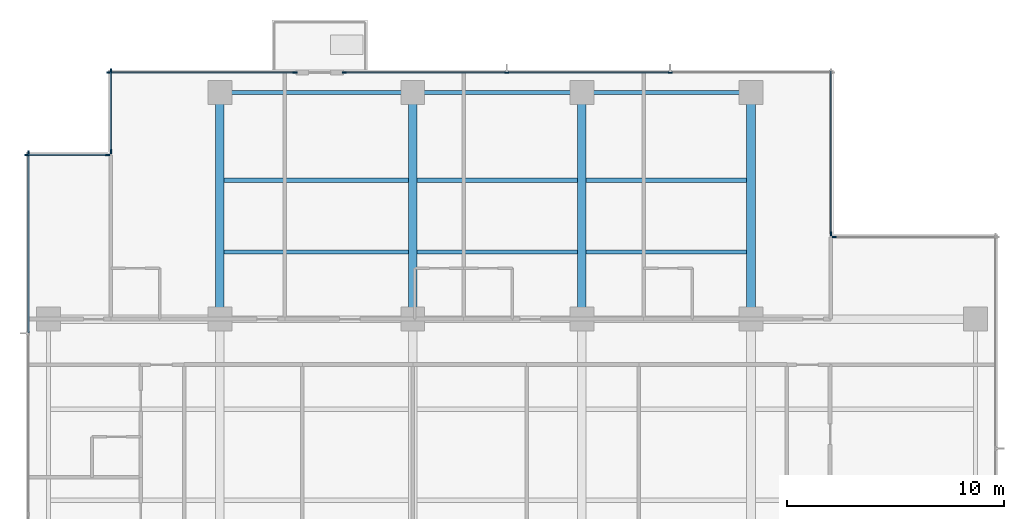
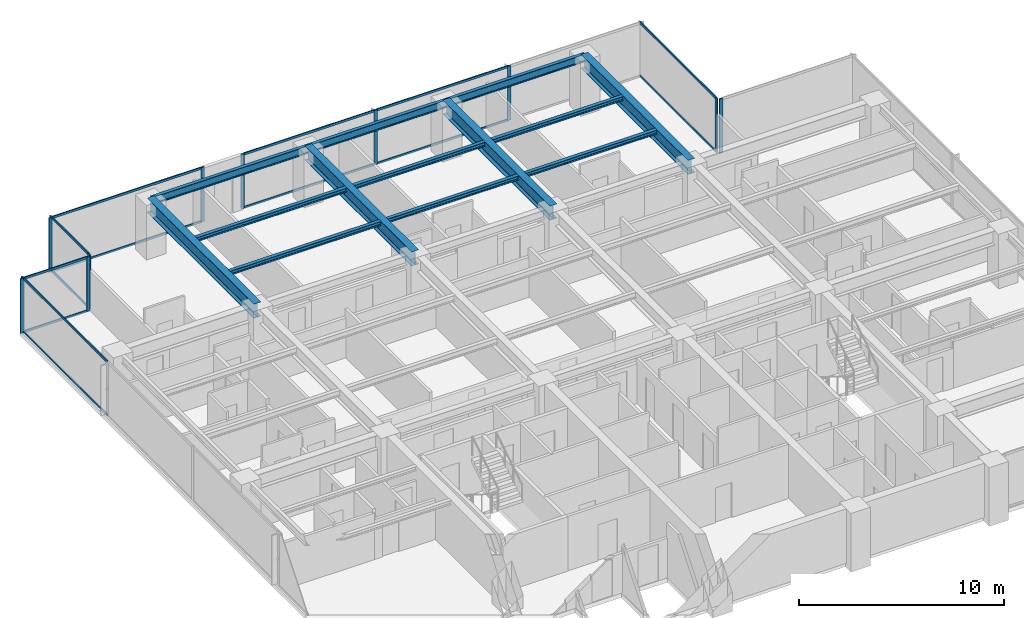
# One storey, part 4 of 15: 26 members, 13 beams, 7 elements without a shape of their own.
"""IFC4 building model written with IfcOpenShell, lengths in metres."""

from ifc_helpers import new_model, si_unit, direction, frame, origin, origin_2d, place, context, subcontext, project, spatial, rectangle, i_section, extrude, material, layer, layer_set, material_profile, profile_set, type_object, element, aggregate, save


model = new_model("IFC4")

# Units and contexts
model_context = context("Model", 3, precision=1e-05, world=origin(), true_north=direction((0.0, 1.0)))
body_context = subcontext(model_context, "Body", "Model", "MODEL_VIEW")
ifc_project = project(units=[si_unit("LENGTHUNIT", "METRE"), si_unit("AREAUNIT", "SQUARE_METRE"), si_unit("VOLUMEUNIT", "CUBIC_METRE"), si_unit("PLANEANGLEUNIT", "RADIAN"), si_unit("MASSUNIT", "GRAM", prefix="KILO")], contexts=[model_context])

# Site, building, storey
site_placement = place(None, origin())
site = spatial("IfcSite", under=ifc_project, at=site_placement, CompositionType="ELEMENT")
building_placement = place(site_placement, origin())
building = spatial("IfcBuilding", under=site, at=building_placement, Name="Qalmaran Belvedere Hotel", CompositionType="ELEMENT")
storey_placement = place(building_placement, frame((0.0, 0.0, 142.10009765625)))
storey = spatial("IfcBuildingStorey", under=building, at=storey_placement, Name="L35", CompositionType="ELEMENT", Elevation=142.10009765625)

# Beams
ifc_material_1 = material(Name="Steel S355JR", Category="steel")
ifc_material_profile_1 = material_profile(ifc_material_1, i_section(OverallWidth=0.201904296875, OverallDepth=0.2470703125, WebThickness=0.00732421875, FlangeThickness=0.010986328125, FilletRadius=0.011962890625, at=origin_2d()), Name="W250X49")
ifc_profile_set_1 = profile_set([ifc_material_profile_1], Name="Steel S355JR")
beam_type_1 = type_object("IfcBeamType", Name="BM-JST-W250X49", PredefinedType="JOIST", material=ifc_profile_set_1)
beam_1_placement = place(storey_placement, frame((20.498046875, 36.10009765625, 3.12646484375), z_axis=(1.0, 0.0, 0.0), x_axis=(0.0, 1.0, 0.0)))
element("IfcBeam", 1, at=beam_1_placement, inside=storey, type_object=beam_type_1, Name="L35 North Floor Joist 042", PredefinedType="JOIST", context=body_context, shape_type="SweptSolid", body=[
    extrude(i_section(OverallWidth=0.201904296875, OverallDepth=0.2470703125, WebThickness=0.00732421875, FlangeThickness=0.010986328125, FilletRadius=0.011962890625, at=origin_2d()), origin(), (0.0, 0.0, 1.0), 8.50390625),
])
for number, where, z_axis, x_axis, name in (
    (2, (29.39794921875, 36.10009765625, 3.12646484375), (1.0, 0.0, 0.0), (0.0, 1.0, 0.0), "L35 North Floor Joist 043"),
    (3, (37.197998046875, 36.10009765625, 3.12646484375), (1.0, 0.0, 0.0), (0.0, 1.0, 0.0), "L35 North Floor Joist 044"),
):
    element("IfcBeam", number, at=place(storey_placement, frame(where, z_axis=z_axis, x_axis=x_axis)), inside=storey, type_object=beam_type_1, Name=name, PredefinedType="JOIST", context=body_context, shape_type="SweptSolid", body=[
        extrude(i_section(OverallWidth=0.201904296875, OverallDepth=0.2470703125, WebThickness=0.00732421875, FlangeThickness=0.010986328125, FilletRadius=0.011962890625, at=origin_2d()), origin(), (0.0, 0.0, 1.0), 7.404052734375),
    ])
beam_2_placement = place(storey_placement, frame((20.498046875, 39.39990234375, 3.12646484375), z_axis=(1.0, 0.0, 0.0), x_axis=(0.0, 1.0, 0.0)))
element("IfcBeam", 4, at=beam_2_placement, inside=storey, type_object=beam_type_1, Name="L35 North Floor Joist 045", PredefinedType="JOIST", context=body_context, shape_type="SweptSolid", body=[
    extrude(i_section(OverallWidth=0.201904296875, OverallDepth=0.2470703125, WebThickness=0.00732421875, FlangeThickness=0.010986328125, FilletRadius=0.011962890625, at=origin_2d()), origin(), (0.0, 0.0, 1.0), 8.50390625),
])
for number, where, z_axis, x_axis, name in (
    (5, (29.39794921875, 39.39990234375, 3.12646484375), (1.0, 0.0, 0.0), (0.0, 1.0, 0.0), "L35 North Floor Joist 046"),
    (6, (37.197998046875, 39.39990234375, 3.12646484375), (1.0, 0.0, 0.0), (0.0, 1.0, 0.0), "L35 North Floor Joist 047"),
):
    element("IfcBeam", number, at=place(storey_placement, frame(where, z_axis=z_axis, x_axis=x_axis)), inside=storey, type_object=beam_type_1, Name=name, PredefinedType="JOIST", context=body_context, shape_type="SweptSolid", body=[
        extrude(i_section(OverallWidth=0.201904296875, OverallDepth=0.2470703125, WebThickness=0.00732421875, FlangeThickness=0.010986328125, FilletRadius=0.011962890625, at=origin_2d()), origin(), (0.0, 0.0, 1.0), 7.404052734375),
    ])
ifc_material_profile_2 = material_profile(ifc_material_1, i_section(OverallWidth=0.39990234375, OverallDepth=0.85498046875, WebThickness=0.018310546875, FlangeThickness=0.029296875, FilletRadius=0.02392578125, at=origin_2d()), Name="W840X299")
ifc_profile_set_2 = profile_set([ifc_material_profile_2], Name="Steel S355JR")
beam_type_2 = type_object("IfcBeamType", Name="BM-PG3-W840X299", PredefinedType="USERDEFINED", material=ifc_profile_set_2)
for number, where, z_axis, x_axis, name in (
    (7, (20.300048828125, 33.0, 2.822509765625), (0.0, 1.0, 0.0), (-1.0, 0.0, 0.0), "L35 North Bay Girder 15"),
    (8, (29.199951171875, 33.0, 2.822509765625), (0.0, 1.0, 0.0), (-1.0, 0.0, 0.0), "L35 North Bay Girder 17"),
    (9, (37.0, 33.0, 2.822509765625), (0.0, 1.0, 0.0), (-1.0, 0.0, 0.0), "L35 North Bay Girder 19"),
    (10, (44.800048828125, 33.0, 2.822509765625), (0.0, 1.0, 0.0), (-1.0, 0.0, 0.0), "L35 North Bay Girder 21"),
):
    element("IfcBeam", number, at=place(storey_placement, frame(where, z_axis=z_axis, x_axis=x_axis)), inside=storey, type_object=beam_type_2, Name=name, ObjectType="GIRDER", PredefinedType="USERDEFINED", context=body_context, shape_type="SweptSolid", body=[
        extrude(i_section(OverallWidth=0.39990234375, OverallDepth=0.85498046875, WebThickness=0.018310546875, FlangeThickness=0.029296875, FilletRadius=0.02392578125, at=origin_2d()), origin(), (0.0, 0.0, 1.0), 10.449951171875),
    ])
ifc_material_profile_3 = material_profile(ifc_material_1, i_section(OverallWidth=0.19189453125, OverallDepth=0.462890625, WebThickness=0.010498046875, FlangeThickness=0.017578125, FilletRadius=0.01611328125, at=origin_2d()), Name="W460X89")
ifc_profile_set_3 = profile_set([ifc_material_profile_3], Name="Steel S355JR")
beam_type_3 = type_object("IfcBeamType", Name="BM-SP2-W460X89", PredefinedType="SPANDREL", material=ifc_profile_set_3)
beam_3_placement = place(storey_placement, frame((20.300048828125, 43.449951171875, 3.018310546875), z_axis=(1.0, 0.0, 0.0), x_axis=(0.0, 1.0, 0.0)))
element("IfcBeam", 11, at=beam_3_placement, inside=storey, type_object=beam_type_3, Name="L35 Perimeter Spandrel 05", PredefinedType="SPANDREL", context=body_context, shape_type="SweptSolid", body=[
    extrude(i_section(OverallWidth=0.19189453125, OverallDepth=0.462890625, WebThickness=0.010498046875, FlangeThickness=0.017578125, FilletRadius=0.01611328125, at=origin_2d()), origin(), (0.0, 0.0, 1.0), 8.89990234375),
])
for number, where, z_axis, x_axis, name in (
    (12, (29.199951171875, 43.449951171875, 3.018310546875), (1.0, 0.0, 0.0), (0.0, 1.0, 0.0), "L35 Perimeter Spandrel 06"),
    (13, (37.0, 43.449951171875, 3.018310546875), (1.0, 0.0, 0.0), (0.0, 1.0, 0.0), "L35 Perimeter Spandrel 07"),
):
    element("IfcBeam", number, at=place(storey_placement, frame(where, z_axis=z_axis, x_axis=x_axis)), inside=storey, type_object=beam_type_3, Name=name, PredefinedType="SPANDREL", context=body_context, shape_type="SweptSolid", body=[
        extrude(i_section(OverallWidth=0.19189453125, OverallDepth=0.462890625, WebThickness=0.010498046875, FlangeThickness=0.017578125, FilletRadius=0.01611328125, at=origin_2d()), origin(), (0.0, 0.0, 1.0), 7.800048828125),
    ])

# Curtain wall, member
ifc_material_2 = material(Name="Anodised Bronze Aluminium", Category="aluminium")
ifc_layer = layer(ifc_material_2, 0.195068359375, Name="Anodised Bronze Aluminium")
ifc_layer_set = layer_set([ifc_layer], Name="Anodised Bronze Aluminium")
curtain_wall_type = type_object("IfcCurtainWallType", Name="CW4-TOWER-HIGHMID", PredefinedType="NOTDEFINED", material=ifc_layer_set)
curtain_wall_1_placement = place(storey_placement, origin())
curtain_wall_1 = element("IfcCurtainWall", 14, at=curtain_wall_1_placement, inside=storey, type_object=curtain_wall_type, Name="L35 Curtain Wall CW4", PredefinedType="NOTDEFINED")
ifc_material_profile_4 = material_profile(ifc_material_2, rectangle(XDim=0.070068359375, YDim=0.18994140625, at=origin_2d()), Name="CWM70X190")
ifc_profile_set_4 = profile_set([ifc_material_profile_4], Name="Anodised Bronze Aluminium")
member_type_1 = type_object("IfcMemberType", Name="CWM-70X190", PredefinedType="MULLION", material=ifc_profile_set_4)
member_1_placement = place(storey_placement, frame((48.635009765625, 36.780029296875, 0.0), z_axis=(0.0, 0.0, 1.0), x_axis=(0.0, -1.0, 0.0)))
member_1 = element("IfcMember", 15, at=member_1_placement, type_object=member_type_1, Name="CW4 mullion 2", PredefinedType="MULLION", context=body_context, shape_type="SweptSolid", body=[
    extrude(rectangle(XDim=0.070068359375, YDim=0.18994140625, at=origin_2d()), origin(), (0.0, 0.0, 1.0), 3.25),
])
aggregate(curtain_wall_1, [member_1])

curtain_wall_2_placement = place(storey_placement, origin())
curtain_wall_2 = element("IfcCurtainWall", 16, at=curtain_wall_2_placement, inside=storey, type_object=curtain_wall_type, Name="L35 Curtain Wall CW4", PredefinedType="NOTDEFINED")
member_2_placement = place(storey_placement, frame((48.47998046875, 36.93505859375, 0.0), z_axis=(0.0, 0.0, 1.0), x_axis=(-1.0, 0.0, 0.0)))
member_2 = element("IfcMember", 17, at=member_2_placement, type_object=member_type_1, Name="CW4 mullion 1", PredefinedType="MULLION", context=body_context, shape_type="SweptSolid", body=[
    extrude(rectangle(XDim=0.070068359375, YDim=0.18994140625, at=origin_2d()), origin(), (0.0, 0.0, 1.0), 3.25),
])

# Curtain wall, members
curtain_wall_3_placement = place(storey_placement, origin())
curtain_wall_3 = element("IfcCurtainWall", 18, at=curtain_wall_3_placement, inside=storey, type_object=curtain_wall_type, Name="L35 Curtain Wall CW4", PredefinedType="NOTDEFINED")
member_3_placement = place(storey_placement, frame((23.764892578125, 44.3798828125, 0.0), z_axis=(0.0, 0.0, 1.0), x_axis=(0.0, -1.0, 0.0)))
member_3 = element("IfcMember", 19, at=member_3_placement, type_object=member_type_1, Name="CW4 mullion 1", PredefinedType="MULLION", context=body_context, shape_type="SweptSolid", body=[
    extrude(rectangle(XDim=0.070068359375, YDim=0.18994140625, at=origin_2d()), origin(), (0.0, 0.0, 1.0), 3.25),
])
member_4_placement = place(storey_placement, frame((15.18505859375, 44.3798828125, 0.0), z_axis=(0.0, 0.0, 1.0), x_axis=(0.0, -1.0, 0.0)))
member_4 = element("IfcMember", 20, at=member_4_placement, type_object=member_type_1, Name="CW4 mullion 2", PredefinedType="MULLION", context=body_context, shape_type="SweptSolid", body=[
    extrude(rectangle(XDim=0.070068359375, YDim=0.18994140625, at=origin_2d()), origin(), (0.0, 0.0, 1.0), 3.25),
])

curtain_wall_4_placement = place(storey_placement, origin())
curtain_wall_4 = element("IfcCurtainWall", 21, at=curtain_wall_4_placement, inside=storey, type_object=curtain_wall_type, Name="L35 Curtain Wall CW4", PredefinedType="NOTDEFINED")
member_5_placement = place(storey_placement, frame((41.066650390625, 44.3798828125, 0.0), z_axis=(0.0, 0.0, 1.0), x_axis=(0.0, -1.0, 0.0)))
member_5 = element("IfcMember", 22, at=member_5_placement, type_object=member_type_1, Name="CW4 mullion 2", PredefinedType="MULLION", context=body_context, shape_type="SweptSolid", body=[
    extrude(rectangle(XDim=0.070068359375, YDim=0.18994140625, at=origin_2d()), origin(), (0.0, 0.0, 1.0), 3.25),
])
member_6_placement = place(storey_placement, frame((33.533447265625, 44.3798828125, 0.0), z_axis=(0.0, 0.0, 1.0), x_axis=(0.0, -1.0, 0.0)))
member_6 = element("IfcMember", 23, at=member_6_placement, type_object=member_type_1, Name="CW4 mullion 3", PredefinedType="MULLION", context=body_context, shape_type="SweptSolid", body=[
    extrude(rectangle(XDim=0.070068359375, YDim=0.18994140625, at=origin_2d()), origin(), (0.0, 0.0, 1.0), 3.25),
])
member_7_placement = place(storey_placement, frame((26.034912109375, 44.3798828125, 0.0), z_axis=(0.0, 0.0, 1.0), x_axis=(0.0, -1.0, 0.0)))
member_7 = element("IfcMember", 24, at=member_7_placement, type_object=member_type_1, Name="CW4 mullion 4", PredefinedType="MULLION", context=body_context, shape_type="SweptSolid", body=[
    extrude(rectangle(XDim=0.070068359375, YDim=0.18994140625, at=origin_2d()), origin(), (0.0, 0.0, 1.0), 3.25),
])

curtain_wall_5_placement = place(storey_placement, origin())
curtain_wall_5 = element("IfcCurtainWall", 25, at=curtain_wall_5_placement, inside=storey, type_object=curtain_wall_type, Name="L35 Curtain Wall CW4", PredefinedType="NOTDEFINED")
member_8_placement = place(storey_placement, frame((15.27001953125, 44.465087890625, 0.0), z_axis=(0.0, 0.0, 1.0), x_axis=(1.0, 0.0, 0.0)))
member_8 = element("IfcMember", 26, at=member_8_placement, type_object=member_type_1, Name="CW4 mullion 1", PredefinedType="MULLION", context=body_context, shape_type="SweptSolid", body=[
    extrude(rectangle(XDim=0.070068359375, YDim=0.18994140625, at=origin_2d()), origin(), (0.0, 0.0, 1.0), 3.25),
])
member_9_placement = place(storey_placement, frame((15.27001953125, 40.735107421875, 0.0), z_axis=(0.0, 0.0, 1.0), x_axis=(1.0, 0.0, 0.0)))
member_9 = element("IfcMember", 27, at=member_9_placement, type_object=member_type_1, Name="CW4 mullion 2", PredefinedType="MULLION", context=body_context, shape_type="SweptSolid", body=[
    extrude(rectangle(XDim=0.070068359375, YDim=0.18994140625, at=origin_2d()), origin(), (0.0, 0.0, 1.0), 3.25),
])

curtain_wall_6_placement = place(storey_placement, origin())
curtain_wall_6 = element("IfcCurtainWall", 28, at=curtain_wall_6_placement, inside=storey, type_object=curtain_wall_type, Name="L35 Curtain Wall CW4", PredefinedType="NOTDEFINED")
member_10_placement = place(storey_placement, frame((15.114990234375, 40.580078125, 0.0), z_axis=(0.0, 0.0, 1.0), x_axis=(0.0, -1.0, 0.0)))
member_10 = element("IfcMember", 29, at=member_10_placement, type_object=member_type_1, Name="CW4 mullion 1", PredefinedType="MULLION", context=body_context, shape_type="SweptSolid", body=[
    extrude(rectangle(XDim=0.070068359375, YDim=0.18994140625, at=origin_2d()), origin(), (0.0, 0.0, 1.0), 3.25),
])
member_11_placement = place(storey_placement, frame((11.385009765625, 40.580078125, 0.0), z_axis=(0.0, 0.0, 1.0), x_axis=(0.0, -1.0, 0.0)))
member_11 = element("IfcMember", 30, at=member_11_placement, type_object=member_type_1, Name="CW4 mullion 2", PredefinedType="MULLION", context=body_context, shape_type="SweptSolid", body=[
    extrude(rectangle(XDim=0.070068359375, YDim=0.18994140625, at=origin_2d()), origin(), (0.0, 0.0, 1.0), 3.25),
])

# Curtain wall, member
curtain_wall_7_placement = place(storey_placement, origin())
curtain_wall_7 = element("IfcCurtainWall", 31, at=curtain_wall_7_placement, inside=storey, type_object=curtain_wall_type, Name="L35 Curtain Wall CW4", PredefinedType="NOTDEFINED")
member_12_placement = place(storey_placement, frame((11.469970703125, 40.6650390625, 0.0), z_axis=(0.0, 0.0, 1.0), x_axis=(1.0, 0.0, 0.0)))
member_12 = element("IfcMember", 32, at=member_12_placement, type_object=member_type_1, Name="CW4 mullion 1", PredefinedType="MULLION", context=body_context, shape_type="SweptSolid", body=[
    extrude(rectangle(XDim=0.070068359375, YDim=0.18994140625, at=origin_2d()), origin(), (0.0, 0.0, 1.0), 3.25),
])

# Member
ifc_material_profile_5 = material_profile(ifc_material_2, rectangle(XDim=0.06494140625, YDim=0.1298828125, at=origin_2d()), Name="CWT65X130")
ifc_profile_set_5 = profile_set([ifc_material_profile_5], Name="Anodised Bronze Aluminium")
member_type_2 = type_object("IfcMemberType", Name="CWT-65X130", PredefinedType="USERDEFINED", material=ifc_profile_set_5)
member_13_placement = place(storey_placement, frame((48.47998046875, 36.969970703125, 0.032470703125), z_axis=(0.0, 1.0, 0.0), x_axis=(-1.0, 0.0, 0.0)))
member_13 = element("IfcMember", 33, at=member_13_placement, type_object=member_type_2, Name="CW4 transom 1.1", ObjectType="TRANSOM", PredefinedType="USERDEFINED", context=body_context, shape_type="SweptSolid", body=[
    extrude(rectangle(XDim=0.06494140625, YDim=0.1298828125, at=origin_2d()), origin(), (0.0, 0.0, 1.0), 7.4599609375),
])

member_14_placement = place(storey_placement, frame((48.47998046875, 36.969970703125, 3.21728515625), z_axis=(0.0, 1.0, 0.0), x_axis=(-1.0, 0.0, 0.0)))
member_14 = element("IfcMember", 34, at=member_14_placement, type_object=member_type_2, Name="CW4 transom 1.2", ObjectType="TRANSOM", PredefinedType="USERDEFINED", context=body_context, shape_type="SweptSolid", body=[
    extrude(rectangle(XDim=0.06494140625, YDim=0.1298828125, at=origin_2d()), origin(), (0.0, 0.0, 1.0), 7.4599609375),
])

aggregate(curtain_wall_2, [member_2, member_13, member_14])

member_15_placement = place(storey_placement, frame((23.72998046875, 44.3798828125, 0.032470703125), z_axis=(-1.0, 0.0, 0.0), x_axis=(0.0, -1.0, 0.0)))
member_15 = element("IfcMember", 35, at=member_15_placement, type_object=member_type_2, Name="CW4 transom 1.1", ObjectType="TRANSOM", PredefinedType="USERDEFINED", context=body_context, shape_type="SweptSolid", body=[
    extrude(rectangle(XDim=0.06494140625, YDim=0.1298828125, at=origin_2d()), origin(), (0.0, 0.0, 1.0), 8.510009765625),
])

member_16_placement = place(storey_placement, frame((23.72998046875, 44.3798828125, 3.21728515625), z_axis=(-1.0, 0.0, 0.0), x_axis=(0.0, -1.0, 0.0)))
member_16 = element("IfcMember", 36, at=member_16_placement, type_object=member_type_2, Name="CW4 transom 1.2", ObjectType="TRANSOM", PredefinedType="USERDEFINED", context=body_context, shape_type="SweptSolid", body=[
    extrude(rectangle(XDim=0.06494140625, YDim=0.1298828125, at=origin_2d()), origin(), (0.0, 0.0, 1.0), 8.510009765625),
])

aggregate(curtain_wall_3, [member_3, member_4, member_15, member_16])

member_17_placement = place(storey_placement, frame((41.03173828125, 44.3798828125, 0.032470703125), z_axis=(-1.0, 0.0, 0.0), x_axis=(0.0, -1.0, 0.0)))
member_17 = element("IfcMember", 37, at=member_17_placement, type_object=member_type_2, Name="CW4 transom 2.1", ObjectType="TRANSOM", PredefinedType="USERDEFINED", context=body_context, shape_type="SweptSolid", body=[
    extrude(rectangle(XDim=0.06494140625, YDim=0.1298828125, at=origin_2d()), origin(), (0.0, 0.0, 1.0), 7.46337890625),
])

member_18_placement = place(storey_placement, frame((41.03173828125, 44.3798828125, 3.21728515625), z_axis=(-1.0, 0.0, 0.0), x_axis=(0.0, -1.0, 0.0)))
member_18 = element("IfcMember", 38, at=member_18_placement, type_object=member_type_2, Name="CW4 transom 2.2", ObjectType="TRANSOM", PredefinedType="USERDEFINED", context=body_context, shape_type="SweptSolid", body=[
    extrude(rectangle(XDim=0.06494140625, YDim=0.1298828125, at=origin_2d()), origin(), (0.0, 0.0, 1.0), 7.46337890625),
])

member_19_placement = place(storey_placement, frame((33.498291015625, 44.3798828125, 0.032470703125), z_axis=(-1.0, 0.0, 0.0), x_axis=(0.0, -1.0, 0.0)))
member_19 = element("IfcMember", 39, at=member_19_placement, type_object=member_type_2, Name="CW4 transom 3.1", ObjectType="TRANSOM", PredefinedType="USERDEFINED", context=body_context, shape_type="SweptSolid", body=[
    extrude(rectangle(XDim=0.06494140625, YDim=0.1298828125, at=origin_2d()), origin(), (0.0, 0.0, 1.0), 7.42822265625),
])

member_20_placement = place(storey_placement, frame((33.498291015625, 44.3798828125, 3.21728515625), z_axis=(-1.0, 0.0, 0.0), x_axis=(0.0, -1.0, 0.0)))
member_20 = element("IfcMember", 40, at=member_20_placement, type_object=member_type_2, Name="CW4 transom 3.2", ObjectType="TRANSOM", PredefinedType="USERDEFINED", context=body_context, shape_type="SweptSolid", body=[
    extrude(rectangle(XDim=0.06494140625, YDim=0.1298828125, at=origin_2d()), origin(), (0.0, 0.0, 1.0), 7.42822265625),
])

aggregate(curtain_wall_4, [member_5, member_6, member_7, member_17, member_18, member_19, member_20])

member_21_placement = place(storey_placement, frame((15.27001953125, 44.429931640625, 0.032470703125), z_axis=(0.0, -1.0, 0.0), x_axis=(1.0, 0.0, 0.0)))
member_21 = element("IfcMember", 41, at=member_21_placement, type_object=member_type_2, Name="CW4 transom 1.1", ObjectType="TRANSOM", PredefinedType="USERDEFINED", context=body_context, shape_type="SweptSolid", body=[
    extrude(rectangle(XDim=0.06494140625, YDim=0.1298828125, at=origin_2d()), origin(), (0.0, 0.0, 1.0), 3.659912109375),
])

member_22_placement = place(storey_placement, frame((15.27001953125, 44.429931640625, 3.21728515625), z_axis=(0.0, -1.0, 0.0), x_axis=(1.0, 0.0, 0.0)))
member_22 = element("IfcMember", 42, at=member_22_placement, type_object=member_type_2, Name="CW4 transom 1.2", ObjectType="TRANSOM", PredefinedType="USERDEFINED", context=body_context, shape_type="SweptSolid", body=[
    extrude(rectangle(XDim=0.06494140625, YDim=0.1298828125, at=origin_2d()), origin(), (0.0, 0.0, 1.0), 3.659912109375),
])

aggregate(curtain_wall_5, [member_8, member_9, member_21, member_22])

member_23_placement = place(storey_placement, frame((15.080078125, 40.580078125, 0.032470703125), z_axis=(-1.0, 0.0, 0.0), x_axis=(0.0, -1.0, 0.0)))
member_23 = element("IfcMember", 43, at=member_23_placement, type_object=member_type_2, Name="CW4 transom 1.1", ObjectType="TRANSOM", PredefinedType="USERDEFINED", context=body_context, shape_type="SweptSolid", body=[
    extrude(rectangle(XDim=0.06494140625, YDim=0.1298828125, at=origin_2d()), origin(), (0.0, 0.0, 1.0), 3.66015625),
])

member_24_placement = place(storey_placement, frame((15.080078125, 40.580078125, 3.21728515625), z_axis=(-1.0, 0.0, 0.0), x_axis=(0.0, -1.0, 0.0)))
member_24 = element("IfcMember", 44, at=member_24_placement, type_object=member_type_2, Name="CW4 transom 1.2", ObjectType="TRANSOM", PredefinedType="USERDEFINED", context=body_context, shape_type="SweptSolid", body=[
    extrude(rectangle(XDim=0.06494140625, YDim=0.1298828125, at=origin_2d()), origin(), (0.0, 0.0, 1.0), 3.66015625),
])

aggregate(curtain_wall_6, [member_10, member_11, member_23, member_24])

member_25_placement = place(storey_placement, frame((11.469970703125, 40.6298828125, 0.032470703125), z_axis=(0.0, -1.0, 0.0), x_axis=(1.0, 0.0, 0.0)))
member_25 = element("IfcMember", 45, at=member_25_placement, type_object=member_type_2, Name="CW4 transom 1.1", ObjectType="TRANSOM", PredefinedType="USERDEFINED", context=body_context, shape_type="SweptSolid", body=[
    extrude(rectangle(XDim=0.06494140625, YDim=0.1298828125, at=origin_2d()), origin(), (0.0, 0.0, 1.0), 8.244873046875),
])

member_26_placement = place(storey_placement, frame((11.469970703125, 40.6298828125, 3.21728515625), z_axis=(0.0, -1.0, 0.0), x_axis=(1.0, 0.0, 0.0)))
member_26 = element("IfcMember", 46, at=member_26_placement, type_object=member_type_2, Name="CW4 transom 1.2", ObjectType="TRANSOM", PredefinedType="USERDEFINED", context=body_context, shape_type="SweptSolid", body=[
    extrude(rectangle(XDim=0.06494140625, YDim=0.1298828125, at=origin_2d()), origin(), (0.0, 0.0, 1.0), 8.244873046875),
])

aggregate(curtain_wall_7, [member_12, member_25, member_26])

save(model, "model.ifc")
